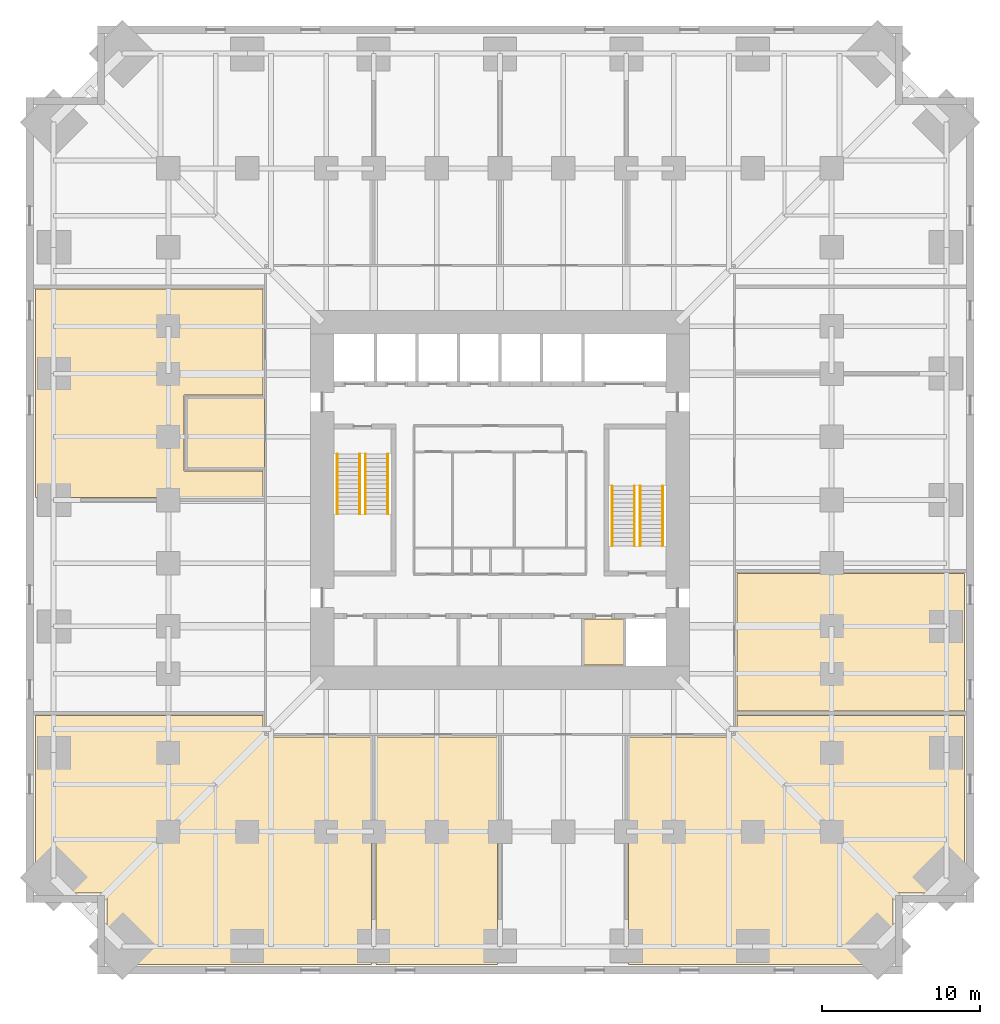
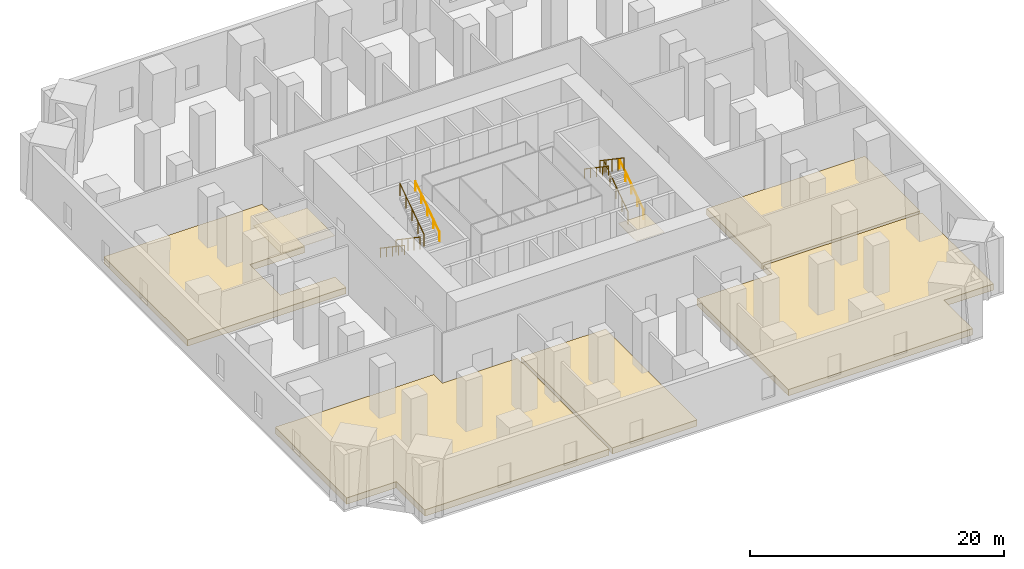
# One storey, part 8 of 8: 8 railings, 7 coverings.
"""IFC4 building model written with IfcOpenShell, lengths in metres."""

from ifc_helpers import new_model, si_unit, direction, frame, origin, origin_2d, place, context, subcontext, project, spatial, polyline, circle, outline, extrude, material, layer, layer_set, type_object, element, save


model = new_model("IFC4")

# Units and contexts
model_context = context("Model", 3, precision=1e-05, world=origin(), true_north=direction((0.0, 1.0)))
body_context = subcontext(model_context, "Body", "Model", "MODEL_VIEW")
ifc_project = project(units=[si_unit("LENGTHUNIT", "METRE"), si_unit("AREAUNIT", "SQUARE_METRE"), si_unit("VOLUMEUNIT", "CUBIC_METRE"), si_unit("PLANEANGLEUNIT", "RADIAN"), si_unit("MASSUNIT", "GRAM", prefix="KILO")], contexts=[model_context])

# Site, building, storey
site_placement = place(None, origin())
site = spatial("IfcSite", under=ifc_project, at=site_placement, CompositionType="ELEMENT")
building_placement = place(site_placement, origin())
building = spatial("IfcBuilding", under=site, at=building_placement, Name="Peilmerk Tower", CompositionType="ELEMENT")
storey_placement = place(building_placement, frame((0.0, 0.0, 65.0)))
storey = spatial("IfcBuildingStorey", under=building, at=storey_placement, Name="L12", CompositionType="ELEMENT", Elevation=65.0)

# Coverings
ifc_material_1 = material(Name="Mineral fibre ceiling tiles", Category="mineral")
ifc_layer_1 = layer(ifc_material_1, 0.02490234375)
ifc_layer_set_1 = layer_set([ifc_layer_1], Name="Mineral fibre ceiling tiles")
covering_type_1 = type_object("IfcCoveringType", Name="CL1 25 suspended ceiling", PredefinedType="CEILING", material=ifc_layer_set_1)
covering_1_placement = place(storey_placement, frame((0.0, 0.0, 4.375)))
element("IfcCovering", 1, at=covering_1_placement, inside=storey, type_object=covering_type_1, Name="Suspended ceiling Operations office", PredefinedType="CEILING", context=body_context, shape_type="SweptSolid", body=[
    extrude(outline(polyline([(-14.89990234375, 2.050048828125), (-14.89990234375, 6.449951171875), (-19.800048828125, 6.449951171875), (-19.800048828125, 2.050048828125), (-14.89990234375, 2.050048828125)])), origin(), (0.0, 0.0, 1.0), 0.02490234375),
])
covering_2_placement = place(storey_placement, frame((0.0, 0.0, 4.324951171875)))
element("IfcCovering", 2, at=covering_2_placement, inside=storey, type_object=covering_type_1, Name="Suspended ceiling Pantry", PredefinedType="CEILING", context=body_context, shape_type="SweptSolid", body=[
    extrude(outline(polyline([(7.823974609375, -10.448974609375), (7.823974609375, -7.551025390625), (5.301025390625, -7.551025390625), (5.301025390625, -10.448974609375), (7.823974609375, -10.448974609375)])), origin(), (0.0, 0.0, 1.0), 0.025146484375),
])

# Railings
ifc_material_2 = material(Name="Steel flat bar balustrade", Category="steel")
railing_type_1 = type_object("IfcRailingType", Name="GR1 1200 stair guard", PredefinedType="GUARDRAIL", material=ifc_material_2)
railing_1_placement = place(storey_placement, frame((-8.8798828125, 2.89990234375, 0.183349609375)))
element("IfcRailing", 3, at=railing_1_placement, inside=storey, type_object=railing_type_1, Name="Guard stair 1 L12", PredefinedType="GUARDRAIL", context=body_context, shape_type="SweptSolid", body=[
    extrude(circle(Radius=0.02392578125, at=origin_2d()), frame((0.0, 0.0, 1.17578125), z_axis=(0.0, -0.827293068839, 0.56177057439), x_axis=(1.0, 0.0, 0.0)), (0.0, 0.0, 1.0), 4.56884765625),
    extrude(circle(Radius=0.02099609375, at=origin_2d()), origin(), (0.0, 0.0, 1.0), 1.15185546875),
    extrude(circle(Radius=0.02099609375, at=origin_2d()), frame((0.0, -0.94482421875, 0.6416015625)), (0.0, 0.0, 1.0), 1.15185546875),
    extrude(circle(Radius=0.02099609375, at=origin_2d()), frame((0.0, -1.889892578125, 1.283203125)), (0.0, 0.0, 1.0), 1.15185546875),
    extrude(circle(Radius=0.02099609375, at=origin_2d()), frame((0.0, -2.8349609375, 1.925048828125)), (0.0, 0.0, 1.0), 1.15185546875),
    extrude(circle(Radius=0.02099609375, at=origin_2d()), frame((0.0, -3.77978515625, 2.566650390625)), (0.0, 0.0, 1.0), 1.15185546875),
])
for number, where, name in (
    (4, (-8.52001953125, -0.8798828125, 2.933349609375), "Guard stair 1 L12"),
    (5, (8.8798828125, -2.89990234375, 0.183349609375), "Guard stair 2 L12"),
):
    element("IfcRailing", number, at=place(storey_placement, frame(where)), inside=storey, type_object=railing_type_1, Name=name, PredefinedType="GUARDRAIL", context=body_context, shape_type="SweptSolid", body=[
        extrude(circle(Radius=0.02392578125, at=origin_2d()), frame((0.0, 0.0, 1.17578125), z_axis=(0.0, 0.827293068839, 0.56177057439), x_axis=(-1.0, 0.0, 0.0)), (0.0, 0.0, 1.0), 4.56884765625),
        extrude(circle(Radius=0.02099609375, at=origin_2d()), origin(), (0.0, 0.0, 1.0), 1.15185546875),
        extrude(circle(Radius=0.02099609375, at=origin_2d()), frame((0.0, 0.94482421875, 0.6416015625)), (0.0, 0.0, 1.0), 1.15185546875),
        extrude(circle(Radius=0.02099609375, at=origin_2d()), frame((0.0, 1.889892578125, 1.283203125)), (0.0, 0.0, 1.0), 1.15185546875),
        extrude(circle(Radius=0.02099609375, at=origin_2d()), frame((0.0, 2.8349609375, 1.925048828125)), (0.0, 0.0, 1.0), 1.15185546875),
        extrude(circle(Radius=0.02099609375, at=origin_2d()), frame((0.0, 3.77978515625, 2.566650390625)), (0.0, 0.0, 1.0), 1.15185546875),
    ])
railing_2_placement = place(storey_placement, frame((8.52001953125, 0.8798828125, 2.933349609375)))
element("IfcRailing", 6, at=railing_2_placement, inside=storey, type_object=railing_type_1, Name="Guard stair 2 L12", PredefinedType="GUARDRAIL", context=body_context, shape_type="SweptSolid", body=[
    extrude(circle(Radius=0.02392578125, at=origin_2d()), frame((0.0, 0.0, 1.17578125), z_axis=(0.0, -0.827293068839, 0.56177057439), x_axis=(1.0, 0.0, 0.0)), (0.0, 0.0, 1.0), 4.56884765625),
    extrude(circle(Radius=0.02099609375, at=origin_2d()), origin(), (0.0, 0.0, 1.0), 1.15185546875),
    extrude(circle(Radius=0.02099609375, at=origin_2d()), frame((0.0, -0.94482421875, 0.6416015625)), (0.0, 0.0, 1.0), 1.15185546875),
    extrude(circle(Radius=0.02099609375, at=origin_2d()), frame((0.0, -1.889892578125, 1.283203125)), (0.0, 0.0, 1.0), 1.15185546875),
    extrude(circle(Radius=0.02099609375, at=origin_2d()), frame((0.0, -2.8349609375, 1.925048828125)), (0.0, 0.0, 1.0), 1.15185546875),
    extrude(circle(Radius=0.02099609375, at=origin_2d()), frame((0.0, -3.77978515625, 2.566650390625)), (0.0, 0.0, 1.0), 1.15185546875),
])
ifc_material_3 = material(Name="Stainless steel tube", Category="steel")
railing_type_2 = type_object("IfcRailingType", Name="HR1 900 stair handrail", PredefinedType="HANDRAIL", material=ifc_material_3)
railing_3_placement = place(storey_placement, frame((-10.300048828125, 2.89990234375, 0.183349609375)))
element("IfcRailing", 7, at=railing_3_placement, inside=storey, type_object=railing_type_2, Name="Handrail stair 1 L12", PredefinedType="HANDRAIL", context=body_context, shape_type="SweptSolid", body=[
    extrude(circle(Radius=0.02392578125, at=origin_2d()), frame((0.0, 0.0, 0.8759765625), z_axis=(0.0, -0.827293068839, 0.56177057439), x_axis=(1.0, 0.0, 0.0)), (0.0, 0.0, 1.0), 4.56884765625),
    extrude(circle(Radius=0.02099609375, at=origin_2d()), origin(), (0.0, 0.0, 1.0), 0.851806640625),
    extrude(circle(Radius=0.02099609375, at=origin_2d()), frame((0.0, -0.94482421875, 0.6416015625)), (0.0, 0.0, 1.0), 0.851806640625),
    extrude(circle(Radius=0.02099609375, at=origin_2d()), frame((0.0, -1.889892578125, 1.283203125)), (0.0, 0.0, 1.0), 0.851806640625),
    extrude(circle(Radius=0.02099609375, at=origin_2d()), frame((0.0, -2.8349609375, 1.925048828125)), (0.0, 0.0, 1.0), 0.851806640625),
    extrude(circle(Radius=0.02099609375, at=origin_2d()), frame((0.0, -3.77978515625, 2.566650390625)), (0.0, 0.0, 1.0), 0.851806640625),
])
for number, where, name in (
    (8, (-7.10009765625, -0.8798828125, 2.933349609375), "Handrail stair 1 L12"),
    (9, (10.300048828125, -2.89990234375, 0.183349609375), "Handrail stair 2 L12"),
):
    element("IfcRailing", number, at=place(storey_placement, frame(where)), inside=storey, type_object=railing_type_2, Name=name, PredefinedType="HANDRAIL", context=body_context, shape_type="SweptSolid", body=[
        extrude(circle(Radius=0.02392578125, at=origin_2d()), frame((0.0, 0.0, 0.8759765625), z_axis=(0.0, 0.827293068839, 0.56177057439), x_axis=(-1.0, 0.0, 0.0)), (0.0, 0.0, 1.0), 4.56884765625),
        extrude(circle(Radius=0.02099609375, at=origin_2d()), origin(), (0.0, 0.0, 1.0), 0.851806640625),
        extrude(circle(Radius=0.02099609375, at=origin_2d()), frame((0.0, 0.94482421875, 0.6416015625)), (0.0, 0.0, 1.0), 0.851806640625),
        extrude(circle(Radius=0.02099609375, at=origin_2d()), frame((0.0, 1.889892578125, 1.283203125)), (0.0, 0.0, 1.0), 0.851806640625),
        extrude(circle(Radius=0.02099609375, at=origin_2d()), frame((0.0, 2.8349609375, 1.925048828125)), (0.0, 0.0, 1.0), 0.851806640625),
        extrude(circle(Radius=0.02099609375, at=origin_2d()), frame((0.0, 3.77978515625, 2.566650390625)), (0.0, 0.0, 1.0), 0.851806640625),
    ])
railing_4_placement = place(storey_placement, frame((7.10009765625, 0.8798828125, 2.933349609375)))
element("IfcRailing", 10, at=railing_4_placement, inside=storey, type_object=railing_type_2, Name="Handrail stair 2 L12", PredefinedType="HANDRAIL", context=body_context, shape_type="SweptSolid", body=[
    extrude(circle(Radius=0.02392578125, at=origin_2d()), frame((0.0, 0.0, 0.8759765625), z_axis=(0.0, -0.827293068839, 0.56177057439), x_axis=(1.0, 0.0, 0.0)), (0.0, 0.0, 1.0), 4.56884765625),
    extrude(circle(Radius=0.02099609375, at=origin_2d()), origin(), (0.0, 0.0, 1.0), 0.851806640625),
    extrude(circle(Radius=0.02099609375, at=origin_2d()), frame((0.0, -0.94482421875, 0.6416015625)), (0.0, 0.0, 1.0), 0.851806640625),
    extrude(circle(Radius=0.02099609375, at=origin_2d()), frame((0.0, -1.889892578125, 1.283203125)), (0.0, 0.0, 1.0), 0.851806640625),
    extrude(circle(Radius=0.02099609375, at=origin_2d()), frame((0.0, -2.8349609375, 1.925048828125)), (0.0, 0.0, 1.0), 0.851806640625),
    extrude(circle(Radius=0.02099609375, at=origin_2d()), frame((0.0, -3.77978515625, 2.566650390625)), (0.0, 0.0, 1.0), 0.851806640625),
])

# Coverings
ifc_material_4 = material(Name="Steel raised access floor panels on pedestals", Category="steel")
ifc_layer_2 = layer(ifc_material_4, 0.60009765625)
ifc_layer_set_2 = layer_set([ifc_layer_2], Name="Steel raised access floor panels on pedestals")
covering_type_2 = type_object("IfcCoveringType", Name="RF1 600 raised access floor", PredefinedType="FLOORING", material=ifc_layer_set_2)
covering_3_placement = place(storey_placement, origin())
element("IfcCovering", 11, at=covering_3_placement, inside=storey, type_object=covering_type_2, Name="Raised access floor Computer room C", PredefinedType="FLOORING", context=body_context, shape_type="SweptSolid", body=[
    extrude(outline(polyline([(-24.89990234375, -29.39990234375), (-8.14990234375, -29.39990234375), (-8.14990234375, -15.0), (-15.0, -15.0), (-15.0, -13.64990234375), (-29.39990234375, -13.64990234375), (-29.39990234375, -24.89990234375), (-24.89990234375, -24.89990234375), (-24.89990234375, -29.39990234375)])), origin(), (0.0, 0.0, 1.0), 0.60009765625),
])
covering_4_placement = place(storey_placement, origin())
element("IfcCovering", 12, at=covering_4_placement, inside=storey, type_object=covering_type_2, Name="Raised access floor Network room", PredefinedType="FLOORING", context=body_context, shape_type="SweptSolid", body=[
    extrude(outline(polyline([(-7.85009765625, -29.39990234375), (-0.14990234375, -29.39990234375), (-0.14990234375, -15.0), (-7.85009765625, -15.0), (-7.85009765625, -29.39990234375)])), origin(), (0.0, 0.0, 1.0), 0.60009765625),
])
covering_5_placement = place(storey_placement, origin())
element("IfcCovering", 13, at=covering_5_placement, inside=storey, type_object=covering_type_2, Name="Raised access floor Computer room D", PredefinedType="FLOORING", context=body_context, shape_type="SweptSolid", body=[
    extrude(outline(polyline([(8.14990234375, -29.39990234375), (24.89990234375, -29.39990234375), (24.89990234375, -24.89990234375), (29.39990234375, -24.89990234375), (29.39990234375, -13.64990234375), (15.0, -13.64990234375), (15.0, -15.0), (8.14990234375, -15.0), (8.14990234375, -29.39990234375)])), origin(), (0.0, 0.0, 1.0), 0.60009765625),
])
covering_6_placement = place(storey_placement, origin())
element("IfcCovering", 14, at=covering_6_placement, inside=storey, type_object=covering_type_2, Name="Raised access floor UPS room", PredefinedType="FLOORING", context=body_context, shape_type="SweptSolid", body=[
    extrude(outline(polyline([(29.39990234375, -13.35009765625), (29.39990234375, -4.64990234375), (15.0, -4.64990234375), (15.0, -13.35009765625), (29.39990234375, -13.35009765625)])), origin(), (0.0, 0.0, 1.0), 0.60009765625),
])
covering_7_placement = place(storey_placement, origin())
element("IfcCovering", 15, at=covering_7_placement, inside=storey, type_object=covering_type_2, Name="Raised access floor UPS room", PredefinedType="FLOORING", context=body_context, shape_type="SweptSolid", body=[
    extrude(outline(polyline([(-15.0, 13.35009765625), (-29.39990234375, 13.35009765625), (-29.39990234375, 0.14990234375), (-15.0, 0.14990234375), (-15.0, 1.85009765625), (-20.0, 1.85009765625), (-20.0, 6.64990234375), (-15.0, 6.64990234375), (-15.0, 13.35009765625)])), origin(), (0.0, 0.0, 1.0), 0.60009765625),
])

save(model, "model.ifc")
